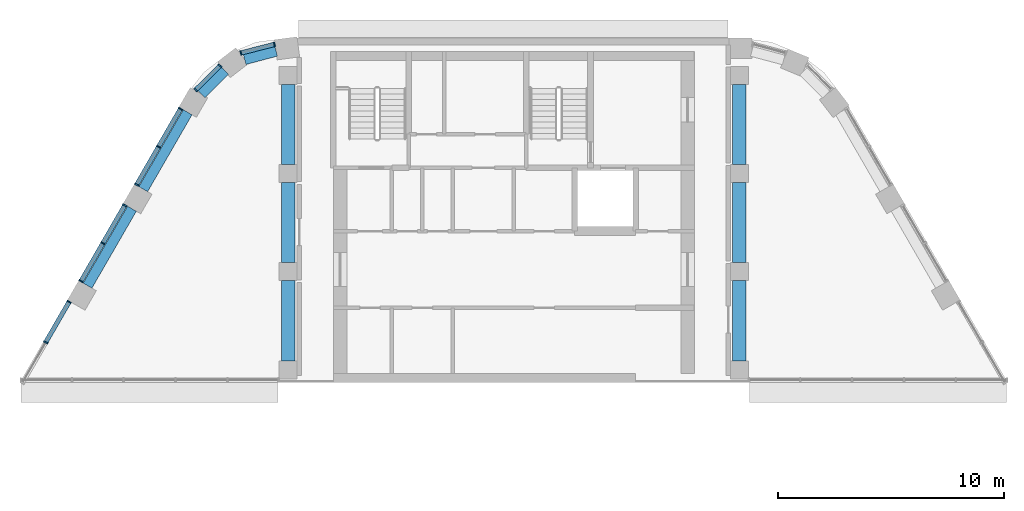
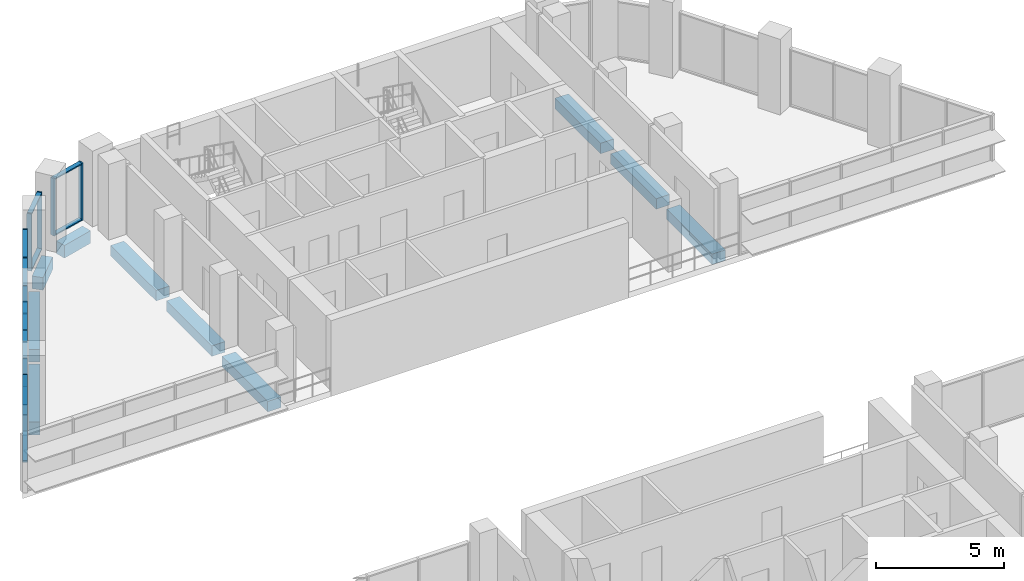
# One storey, part 6 of 15: 26 members, 10 beams, 5 elements without a shape of their own.
"""IFC4 building model written with IfcOpenShell, lengths in metres."""

from ifc_helpers import new_model, si_unit, direction, frame, origin, origin_2d, place, context, subcontext, project, spatial, rectangle, extrude, material, layer, layer_set, material_profile, profile_set, type_object, element, aggregate, save


model = new_model("IFC4")

# Units and contexts
model_context = context("Model", 3, precision=1e-05, world=origin(), true_north=direction((0.0, 1.0)))
body_context = subcontext(model_context, "Body", "Model", "MODEL_VIEW")
ifc_project = project(units=[si_unit("LENGTHUNIT", "METRE"), si_unit("AREAUNIT", "SQUARE_METRE"), si_unit("VOLUMEUNIT", "CUBIC_METRE"), si_unit("PLANEANGLEUNIT", "RADIAN"), si_unit("MASSUNIT", "GRAM", prefix="KILO")], contexts=[model_context])

# Site, building, storey
site_placement = place(None, origin())
site = spatial("IfcSite", under=ifc_project, at=site_placement, CompositionType="ELEMENT")
building_placement = place(site_placement, origin())
building = spatial("IfcBuilding", under=site, at=building_placement, Name="Nakaniwa Court", CompositionType="ELEMENT")
storey_placement = place(building_placement, frame((0.0, 0.0, 283.199951171875)))
storey = spatial("IfcBuildingStorey", under=building, at=storey_placement, Name="C04", CompositionType="ELEMENT", Elevation=283.199951171875)

# Beams
ifc_material_1 = material(Name="Concrete C80/100", Category="concrete")
ifc_material_profile_1 = material_profile(ifc_material_1, rectangle(XDim=0.449951171875, YDim=0.60009765625, at=origin_2d()), Name="Concrete C80/100 RC 450x600 spandrel beam")
ifc_profile_set_1 = profile_set([ifc_material_profile_1], Name="Concrete C80/100")
beam_type_1 = type_object("IfcBeamType", Name="Concrete C80/100 RC 450x600 spandrel beam", PredefinedType="BEAM", material=ifc_profile_set_1)
beam_1_placement = place(storey_placement, frame((69.467529296875, 102.0703125, -0.574951171875), z_axis=(-0.966341744737, -0.257261797354, 0.0), x_axis=(0.257261797354, -0.966341744737, 0.0)))
element("IfcBeam", 1, at=beam_1_placement, inside=storey, type_object=beam_type_1, Name="SPANDREL BEAM", PredefinedType="BEAM", context=body_context, shape_type="SweptSolid", body=[
    extrude(rectangle(XDim=0.449951171875, YDim=0.60009765625, at=origin_2d()), origin(), (0.0, 0.0, 1.0), 1.440673828125),
])
beam_2_placement = place(storey_placement, frame((67.196044921875, 101.202880859375, -0.574951171875), z_axis=(-0.706105687672, -0.708106459396, 0.0), x_axis=(0.708106459396, -0.706105687672, 0.0)))
element("IfcBeam", 2, at=beam_2_placement, inside=storey, type_object=beam_type_1, Name="SPANDREL BEAM", PredefinedType="BEAM", context=body_context, shape_type="SweptSolid", body=[
    extrude(rectangle(XDim=0.449951171875, YDim=0.60009765625, at=origin_2d()), origin(), (0.0, 0.0, 1.0), 1.46435546875),
])
for number, where, z_axis, x_axis, name in (
    (3, (65.546875, 99.366455078125, -0.574951171875), (-0.499974795965, -0.866039954852, 0.0), (0.866039954852, -0.499974795965, 0.0), "SPANDREL BEAM"),
    (4, (63.078857421875, 95.091552734375, -0.574951171875), (-0.500021313302, -0.866013098194, 0.0), (0.866013098194, -0.500021313302, 0.0), "SPANDREL BEAM"),
):
    element("IfcBeam", number, at=place(storey_placement, frame(where, z_axis=z_axis, x_axis=x_axis)), inside=storey, type_object=beam_type_1, Name=name, PredefinedType="BEAM", context=body_context, shape_type="SweptSolid", body=[
        extrude(rectangle(XDim=0.449951171875, YDim=0.60009765625, at=origin_2d()), origin(), (0.0, 0.0, 1.0), 3.936279296875),
    ])
ifc_material_profile_2 = material_profile(ifc_material_1, rectangle(XDim=0.60009765625, YDim=0.5, at=origin_2d()), Name="Concrete C80/100 RC 600x500 ring beam")
ifc_profile_set_2 = profile_set([ifc_material_profile_2], Name="Concrete C80/100")
beam_type_2 = type_object("IfcBeamType", Name="Concrete C80/100 RC 600x500 ring beam", PredefinedType="BEAM", material=ifc_profile_set_2)
beam_3_placement = place(storey_placement, frame((90.0, 88.35009765625, -0.52490234375), z_axis=(0.0, 1.0, 0.0), x_axis=(-1.0, 0.0, 0.0)))
element("IfcBeam", 5, at=beam_3_placement, inside=storey, type_object=beam_type_2, Name="RING BEAM", PredefinedType="BEAM", context=body_context, shape_type="SweptSolid", body=[
    extrude(rectangle(XDim=0.60009765625, YDim=0.5, at=origin_2d()), origin(), (0.0, 0.0, 1.0), 3.5498046875),
])
for number, where, z_axis, x_axis, name in (
    (6, (90.0, 92.699951171875, -0.52490234375), (0.0, 1.0, 0.0), (-1.0, 0.0, 0.0), "RING BEAM"),
    (7, (90.0, 97.050048828125, -0.52490234375), (0.0, 1.0, 0.0), (-1.0, 0.0, 0.0), "RING BEAM"),
    (8, (70.0, 100.60009765625, -0.52490234375), (0.0, -1.0, 0.0), (1.0, 0.0, 0.0), "RING BEAM"),
    (9, (70.0, 96.25, -0.52490234375), (0.0, -1.0, 0.0), (1.0, 0.0, 0.0), "RING BEAM"),
):
    element("IfcBeam", number, at=place(storey_placement, frame(where, z_axis=z_axis, x_axis=x_axis)), inside=storey, type_object=beam_type_2, Name=name, PredefinedType="BEAM", context=body_context, shape_type="SweptSolid", body=[
        extrude(rectangle(XDim=0.60009765625, YDim=0.5, at=origin_2d()), origin(), (0.0, 0.0, 1.0), 3.550048828125),
    ])
beam_4_placement = place(storey_placement, frame((70.0, 91.89990234375, -0.52490234375), z_axis=(0.0, -1.0, 0.0), x_axis=(1.0, 0.0, 0.0)))
element("IfcBeam", 10, at=beam_4_placement, inside=storey, type_object=beam_type_2, Name="RING BEAM", PredefinedType="BEAM", context=body_context, shape_type="SweptSolid", body=[
    extrude(rectangle(XDim=0.60009765625, YDim=0.5, at=origin_2d()), origin(), (0.0, 0.0, 1.0), 3.5498046875),
])

# Curtain wall, members
ifc_material_2 = material(Name="Black anodised aluminium frame with dark low-E laminated double glazing", Category="aluminium")
ifc_layer = layer(ifc_material_2, 0.199951171875)
ifc_layer_set = layer_set([ifc_layer], Name="Black anodised aluminium frame with dark low-E laminated double glazing")
curtain_wall_type = type_object("IfcCurtainWallType", Name="Crown curtain wall", PredefinedType="NOTDEFINED", material=ifc_layer_set)
curtain_wall_1_placement = place(storey_placement, origin())
curtain_wall_1 = element("IfcCurtainWall", 11, at=curtain_wall_1_placement, inside=storey, type_object=curtain_wall_type, Name="C04 curtain wall CW4 13", PredefinedType="NOTDEFINED")
ifc_material_3 = material(Name="Black anodised aluminium extrusion", Category="aluminium")
ifc_material_profile_3 = material_profile(ifc_material_3, rectangle(XDim=0.199951171875, YDim=0.06494140625, at=origin_2d()), Name="Crown curtain wall mullion 65x200")
ifc_profile_set_3 = profile_set([ifc_material_profile_3], Name="Black anodised aluminium extrusion")
member_type_1 = type_object("IfcMemberType", Name="Crown curtain wall mullion 65x200", PredefinedType="MULLION", material=ifc_profile_set_3)
member_1_placement = place(storey_placement, frame((65.2294921875, 99.516845703125, 0.0), z_axis=(0.0, 0.0, 1.0), x_axis=(0.866033174523, -0.499986540445, 0.0)))
member_1 = element("IfcMember", 12, at=member_1_placement, type_object=member_type_1, Name="CW4 mullion 1", PredefinedType="MULLION", context=body_context, shape_type="SweptSolid", body=[
    extrude(rectangle(XDim=0.199951171875, YDim=0.06494140625, at=origin_2d()), origin(), (0.0, 0.0, 1.0), 2.72509765625),
])
member_2_placement = place(storey_placement, frame((64.259765625, 97.837158203125, 0.0), z_axis=(0.0, 0.0, 1.0), x_axis=(0.866033174523, -0.499986540445, 0.0)))
member_2 = element("IfcMember", 13, at=member_2_placement, type_object=member_type_1, Name="CW4 mullion 2", PredefinedType="MULLION", context=body_context, shape_type="SweptSolid", body=[
    extrude(rectangle(XDim=0.199951171875, YDim=0.06494140625, at=origin_2d()), origin(), (0.0, 0.0, 1.0), 2.72509765625),
])
member_3_placement = place(storey_placement, frame((63.2900390625, 96.1572265625, 0.0), z_axis=(0.0, 0.0, 1.0), x_axis=(0.866033174523, -0.499986540445, 0.0)))
member_3 = element("IfcMember", 14, at=member_3_placement, type_object=member_type_1, Name="CW4 mullion 3", PredefinedType="MULLION", context=body_context, shape_type="SweptSolid", body=[
    extrude(rectangle(XDim=0.199951171875, YDim=0.06494140625, at=origin_2d()), origin(), (0.0, 0.0, 1.0), 2.72509765625),
])

curtain_wall_2_placement = place(storey_placement, origin())
curtain_wall_2 = element("IfcCurtainWall", 15, at=curtain_wall_2_placement, inside=storey, type_object=curtain_wall_type, Name="C04 curtain wall CW4 14", PredefinedType="NOTDEFINED")
member_4_placement = place(storey_placement, frame((62.761474609375, 95.241943359375, 0.0), z_axis=(0.0, 0.0, 1.0), x_axis=(0.866033174523, -0.499986540445, 0.0)))
member_4 = element("IfcMember", 16, at=member_4_placement, type_object=member_type_1, Name="CW4 mullion 1", PredefinedType="MULLION", context=body_context, shape_type="SweptSolid", body=[
    extrude(rectangle(XDim=0.199951171875, YDim=0.06494140625, at=origin_2d()), origin(), (0.0, 0.0, 1.0), 2.72509765625),
])
member_5_placement = place(storey_placement, frame((61.791748046875, 93.562255859375, 0.0), z_axis=(0.0, 0.0, 1.0), x_axis=(0.866033174523, -0.499986540445, 0.0)))
member_5 = element("IfcMember", 17, at=member_5_placement, type_object=member_type_1, Name="CW4 mullion 2", PredefinedType="MULLION", context=body_context, shape_type="SweptSolid", body=[
    extrude(rectangle(XDim=0.199951171875, YDim=0.06494140625, at=origin_2d()), origin(), (0.0, 0.0, 1.0), 2.72509765625),
])
member_6_placement = place(storey_placement, frame((60.82177734375, 91.88232421875, 0.0), z_axis=(0.0, 0.0, 1.0), x_axis=(0.866033174523, -0.499986540445, 0.0)))
member_6 = element("IfcMember", 18, at=member_6_placement, type_object=member_type_1, Name="CW4 mullion 3", PredefinedType="MULLION", context=body_context, shape_type="SweptSolid", body=[
    extrude(rectangle(XDim=0.199951171875, YDim=0.06494140625, at=origin_2d()), origin(), (0.0, 0.0, 1.0), 2.72509765625),
])

curtain_wall_3_placement = place(storey_placement, origin())
curtain_wall_3 = element("IfcCurtainWall", 19, at=curtain_wall_3_placement, inside=storey, type_object=curtain_wall_type, Name="C04 curtain wall CW4 15", PredefinedType="NOTDEFINED")
member_7_placement = place(storey_placement, frame((60.29345703125, 90.967041015625, 0.0), z_axis=(0.0, 0.0, 1.0), x_axis=(0.866021000852, -0.500007626024, 0.0)))
member_7 = element("IfcMember", 20, at=member_7_placement, type_object=member_type_1, Name="CW4 mullion 1", PredefinedType="MULLION", context=body_context, shape_type="SweptSolid", body=[
    extrude(rectangle(XDim=0.199951171875, YDim=0.06494140625, at=origin_2d()), origin(), (0.0, 0.0, 1.0), 2.72509765625),
])
member_8_placement = place(storey_placement, frame((59.25732421875, 89.172607421875, 0.0), z_axis=(0.0, 0.0, 1.0), x_axis=(0.866021000852, -0.500007626024, 0.0)))
member_8 = element("IfcMember", 21, at=member_8_placement, type_object=member_type_1, Name="CW4 mullion 2", PredefinedType="MULLION", context=body_context, shape_type="SweptSolid", body=[
    extrude(rectangle(XDim=0.199951171875, YDim=0.06494140625, at=origin_2d()), origin(), (0.0, 0.0, 1.0), 2.72509765625),
])

curtain_wall_4_placement = place(storey_placement, origin())
curtain_wall_4 = element("IfcCurtainWall", 22, at=curtain_wall_4_placement, inside=storey, type_object=curtain_wall_type, Name="C04 curtain wall CW4 24", PredefinedType="NOTDEFINED")
member_9_placement = place(storey_placement, frame((69.392822265625, 102.37353515625, 0.0), z_axis=(0.0, 0.0, 1.0), x_axis=(0.248053150669, -0.968746424222, 0.0)))
member_9 = element("IfcMember", 23, at=member_9_placement, type_object=member_type_1, Name="CW4 mullion 1", PredefinedType="MULLION", context=body_context, shape_type="SweptSolid", body=[
    extrude(rectangle(XDim=0.199951171875, YDim=0.06494140625, at=origin_2d()), origin(), (0.0, 0.0, 1.0), 2.72509765625),
])
member_10_placement = place(storey_placement, frame((67.90771484375, 101.993408203125, 0.0), z_axis=(0.0, 0.0, 1.0), x_axis=(0.248053150669, -0.968746424222, 0.0)))
member_10 = element("IfcMember", 24, at=member_10_placement, type_object=member_type_1, Name="CW4 mullion 2", PredefinedType="MULLION", context=body_context, shape_type="SweptSolid", body=[
    extrude(rectangle(XDim=0.199951171875, YDim=0.06494140625, at=origin_2d()), origin(), (0.0, 0.0, 1.0), 2.72509765625),
])

curtain_wall_5_placement = place(storey_placement, origin())
curtain_wall_5 = element("IfcCurtainWall", 25, at=curtain_wall_5_placement, inside=storey, type_object=curtain_wall_type, Name="C04 curtain wall CW4 25", PredefinedType="NOTDEFINED")
member_11_placement = place(storey_placement, frame((66.98095703125, 101.426025390625, 0.0), z_axis=(0.0, 0.0, 1.0), x_axis=(0.705647329126, -0.708563227169, 0.0)))
member_11 = element("IfcMember", 26, at=member_11_placement, type_object=member_type_1, Name="CW4 mullion 1", PredefinedType="MULLION", context=body_context, shape_type="SweptSolid", body=[
    extrude(rectangle(XDim=0.199951171875, YDim=0.06494140625, at=origin_2d()), origin(), (0.0, 0.0, 1.0), 2.72509765625),
])
member_12_placement = place(storey_placement, frame((65.9091796875, 100.358642578125, 0.0), z_axis=(0.0, 0.0, 1.0), x_axis=(0.705647329126, -0.708563227169, 0.0)))
member_12 = element("IfcMember", 27, at=member_12_placement, type_object=member_type_1, Name="CW4 mullion 2", PredefinedType="MULLION", context=body_context, shape_type="SweptSolid", body=[
    extrude(rectangle(XDim=0.199951171875, YDim=0.06494140625, at=origin_2d()), origin(), (0.0, 0.0, 1.0), 2.72509765625),
])

# Member
ifc_material_profile_4 = material_profile(ifc_material_3, rectangle(XDim=0.199951171875, YDim=0.054931640625, at=origin_2d()), Name="Crown curtain wall transom 55x200")
ifc_profile_set_4 = profile_set([ifc_material_profile_4], Name="Black anodised aluminium extrusion")
member_type_2 = type_object("IfcMemberType", Name="Crown curtain wall transom 55x200", PredefinedType="USERDEFINED", material=ifc_profile_set_4)
member_13_placement = place(storey_placement, frame((65.21337890625, 99.48876953125, 0.027587890625), z_axis=(-0.500060622324, -0.86599040064, 0.0), x_axis=(0.86599040064, -0.500060622324, 0.0)))
member_13 = element("IfcMember", 28, at=member_13_placement, type_object=member_type_2, Name="CW4 transom 1.1", ObjectType="TRANSOM", PredefinedType="USERDEFINED", context=body_context, shape_type="SweptSolid", body=[
    extrude(rectangle(XDim=0.199951171875, YDim=0.054931640625, at=origin_2d()), origin(), (0.0, 0.0, 1.0), 1.874755859375),
])

member_14_placement = place(storey_placement, frame((65.21337890625, 99.48876953125, 2.697509765625), z_axis=(-0.500060622324, -0.86599040064, 0.0), x_axis=(0.86599040064, -0.500060622324, 0.0)))
member_14 = element("IfcMember", 29, at=member_14_placement, type_object=member_type_2, Name="CW4 transom 1.2", ObjectType="TRANSOM", PredefinedType="USERDEFINED", context=body_context, shape_type="SweptSolid", body=[
    extrude(rectangle(XDim=0.199951171875, YDim=0.054931640625, at=origin_2d()), origin(), (0.0, 0.0, 1.0), 1.874755859375),
])

member_15_placement = place(storey_placement, frame((64.243408203125, 97.808837890625, 0.027587890625), z_axis=(-0.499962952589, -0.86604679206, 0.0), x_axis=(0.86604679206, -0.499962952589, 0.0)))
member_15 = element("IfcMember", 30, at=member_15_placement, type_object=member_type_2, Name="CW4 transom 2.1", ObjectType="TRANSOM", PredefinedType="USERDEFINED", context=body_context, shape_type="SweptSolid", body=[
    extrude(rectangle(XDim=0.199951171875, YDim=0.054931640625, at=origin_2d()), origin(), (0.0, 0.0, 1.0), 1.874755859375),
])

member_16_placement = place(storey_placement, frame((64.243408203125, 97.808837890625, 2.697509765625), z_axis=(-0.499962952589, -0.86604679206, 0.0), x_axis=(0.86604679206, -0.499962952589, 0.0)))
member_16 = element("IfcMember", 31, at=member_16_placement, type_object=member_type_2, Name="CW4 transom 2.2", ObjectType="TRANSOM", PredefinedType="USERDEFINED", context=body_context, shape_type="SweptSolid", body=[
    extrude(rectangle(XDim=0.199951171875, YDim=0.054931640625, at=origin_2d()), origin(), (0.0, 0.0, 1.0), 1.874755859375),
])

aggregate(curtain_wall_1, [member_1, member_2, member_3, member_13, member_14, member_15, member_16])

member_17_placement = place(storey_placement, frame((62.7451171875, 95.2138671875, 0.027587890625), z_axis=(-0.499962952589, -0.86604679206, 0.0), x_axis=(0.86604679206, -0.499962952589, 0.0)))
member_17 = element("IfcMember", 32, at=member_17_placement, type_object=member_type_2, Name="CW4 transom 1.1", ObjectType="TRANSOM", PredefinedType="USERDEFINED", context=body_context, shape_type="SweptSolid", body=[
    extrude(rectangle(XDim=0.199951171875, YDim=0.054931640625, at=origin_2d()), origin(), (0.0, 0.0, 1.0), 1.874755859375),
])

member_18_placement = place(storey_placement, frame((62.7451171875, 95.2138671875, 2.697509765625), z_axis=(-0.499962952589, -0.86604679206, 0.0), x_axis=(0.86604679206, -0.499962952589, 0.0)))
member_18 = element("IfcMember", 33, at=member_18_placement, type_object=member_type_2, Name="CW4 transom 1.2", ObjectType="TRANSOM", PredefinedType="USERDEFINED", context=body_context, shape_type="SweptSolid", body=[
    extrude(rectangle(XDim=0.199951171875, YDim=0.054931640625, at=origin_2d()), origin(), (0.0, 0.0, 1.0), 1.874755859375),
])

member_19_placement = place(storey_placement, frame((61.775390625, 93.533935546875, 0.027587890625), z_axis=(-0.499962952589, -0.86604679206, 0.0), x_axis=(0.86604679206, -0.499962952589, 0.0)))
member_19 = element("IfcMember", 34, at=member_19_placement, type_object=member_type_2, Name="CW4 transom 2.1", ObjectType="TRANSOM", PredefinedType="USERDEFINED", context=body_context, shape_type="SweptSolid", body=[
    extrude(rectangle(XDim=0.199951171875, YDim=0.054931640625, at=origin_2d()), origin(), (0.0, 0.0, 1.0), 1.874755859375),
])

member_20_placement = place(storey_placement, frame((61.775390625, 93.533935546875, 2.697509765625), z_axis=(-0.499962952589, -0.86604679206, 0.0), x_axis=(0.86604679206, -0.499962952589, 0.0)))
member_20 = element("IfcMember", 35, at=member_20_placement, type_object=member_type_2, Name="CW4 transom 2.2", ObjectType="TRANSOM", PredefinedType="USERDEFINED", context=body_context, shape_type="SweptSolid", body=[
    extrude(rectangle(XDim=0.199951171875, YDim=0.054931640625, at=origin_2d()), origin(), (0.0, 0.0, 1.0), 1.874755859375),
])

aggregate(curtain_wall_2, [member_4, member_5, member_6, member_17, member_18, member_19, member_20])

member_21_placement = place(storey_placement, frame((60.277099609375, 90.93896484375, 0.027587890625), z_axis=(-0.500024272756, -0.866011389449, 0.0), x_axis=(0.866011389449, -0.500024272756, 0.0)))
member_21 = element("IfcMember", 36, at=member_21_placement, type_object=member_type_2, Name="CW4 transom 1.1", ObjectType="TRANSOM", PredefinedType="USERDEFINED", context=body_context, shape_type="SweptSolid", body=[
    extrude(rectangle(XDim=0.199951171875, YDim=0.054931640625, at=origin_2d()), origin(), (0.0, 0.0, 1.0), 2.00732421875),
])

member_22_placement = place(storey_placement, frame((60.277099609375, 90.93896484375, 2.697509765625), z_axis=(-0.500024272756, -0.866011389449, 0.0), x_axis=(0.866011389449, -0.500024272756, 0.0)))
member_22 = element("IfcMember", 37, at=member_22_placement, type_object=member_type_2, Name="CW4 transom 1.2", ObjectType="TRANSOM", PredefinedType="USERDEFINED", context=body_context, shape_type="SweptSolid", body=[
    extrude(rectangle(XDim=0.199951171875, YDim=0.054931640625, at=origin_2d()), origin(), (0.0, 0.0, 1.0), 2.00732421875),
])

aggregate(curtain_wall_3, [member_7, member_8, member_21, member_22])

member_23_placement = place(storey_placement, frame((69.361328125, 102.365478515625, 0.027587890625), z_axis=(-0.96876740612, -0.247971193567, 0.0), x_axis=(0.247971193567, -0.96876740612, 0.0)))
member_23 = element("IfcMember", 38, at=member_23_placement, type_object=member_type_2, Name="CW4 transom 1.1", ObjectType="TRANSOM", PredefinedType="USERDEFINED", context=body_context, shape_type="SweptSolid", body=[
    extrude(rectangle(XDim=0.199951171875, YDim=0.054931640625, at=origin_2d()), origin(), (0.0, 0.0, 1.0), 1.468017578125),
])

member_24_placement = place(storey_placement, frame((69.361328125, 102.365478515625, 2.697509765625), z_axis=(-0.96876740612, -0.247971193567, 0.0), x_axis=(0.247971193567, -0.96876740612, 0.0)))
member_24 = element("IfcMember", 39, at=member_24_placement, type_object=member_type_2, Name="CW4 transom 1.2", ObjectType="TRANSOM", PredefinedType="USERDEFINED", context=body_context, shape_type="SweptSolid", body=[
    extrude(rectangle(XDim=0.199951171875, YDim=0.054931640625, at=origin_2d()), origin(), (0.0, 0.0, 1.0), 1.468017578125),
])

aggregate(curtain_wall_4, [member_9, member_10, member_23, member_24])

member_25_placement = place(storey_placement, frame((66.9580078125, 101.403076171875, 0.027587890625), z_axis=(-0.708538934428, -0.705671721411, 0.0), x_axis=(0.705671721411, -0.708538934428, 0.0)))
member_25 = element("IfcMember", 40, at=member_25_placement, type_object=member_type_2, Name="CW4 transom 1.1", ObjectType="TRANSOM", PredefinedType="USERDEFINED", context=body_context, shape_type="SweptSolid", body=[
    extrude(rectangle(XDim=0.199951171875, YDim=0.054931640625, at=origin_2d()), origin(), (0.0, 0.0, 1.0), 1.447509765625),
])

member_26_placement = place(storey_placement, frame((66.9580078125, 101.403076171875, 2.697509765625), z_axis=(-0.708538934428, -0.705671721411, 0.0), x_axis=(0.705671721411, -0.708538934428, 0.0)))
member_26 = element("IfcMember", 41, at=member_26_placement, type_object=member_type_2, Name="CW4 transom 1.2", ObjectType="TRANSOM", PredefinedType="USERDEFINED", context=body_context, shape_type="SweptSolid", body=[
    extrude(rectangle(XDim=0.199951171875, YDim=0.054931640625, at=origin_2d()), origin(), (0.0, 0.0, 1.0), 1.447509765625),
])

aggregate(curtain_wall_5, [member_11, member_12, member_25, member_26])

save(model, "model.ifc")
